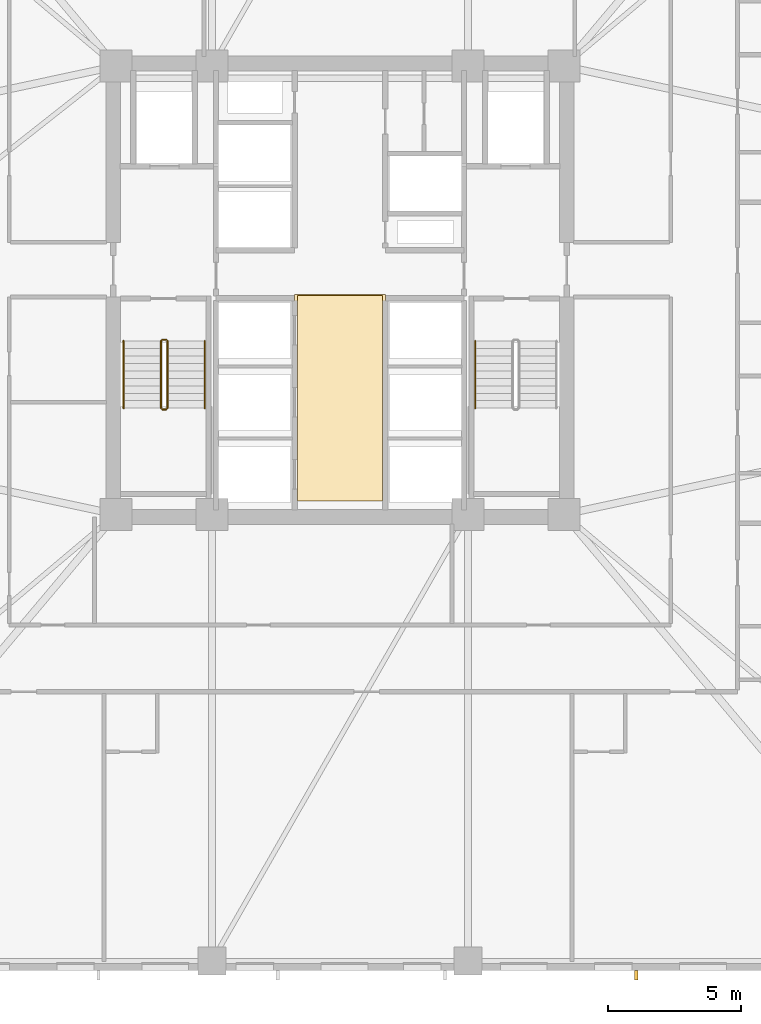
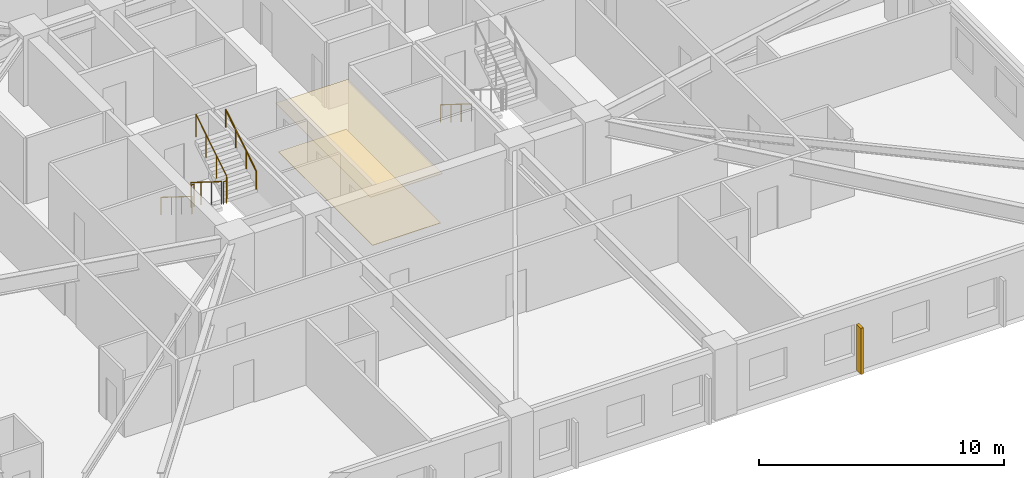
# One storey, part 9 of 12: 7 railings, 2 coverings, 1 shading device.
"""IFC4 building model written with IfcOpenShell, lengths in metres."""

from ifc_helpers import new_model, si_unit, direction, frame, origin, origin_2d, place, context, subcontext, project, spatial, polyline, rectangle, circle, outline, extrude, material, layer, layer_set, type_object, element, save


model = new_model("IFC4")

# Units and contexts
model_context = context("Model", 3, precision=1e-05, world=origin(), true_north=direction((0.0, 1.0)))
body_context = subcontext(model_context, "Body", "Model", "MODEL_VIEW")
ifc_project = project(units=[si_unit("LENGTHUNIT", "METRE"), si_unit("AREAUNIT", "SQUARE_METRE"), si_unit("VOLUMEUNIT", "CUBIC_METRE"), si_unit("PLANEANGLEUNIT", "RADIAN"), si_unit("MASSUNIT", "GRAM", prefix="KILO")], contexts=[model_context])

# Site, building, storey
site_placement = place(None, origin())
site = spatial("IfcSite", under=ifc_project, at=site_placement, CompositionType="ELEMENT")
building_placement = place(site_placement, origin())
building = spatial("IfcBuilding", under=site, at=building_placement, Name="Cairnveth Concourse Tower", CompositionType="ELEMENT")
storey_placement = place(building_placement, frame((0.0, 0.0, 90.0)))
storey = spatial("IfcBuildingStorey", under=building, at=storey_placement, Name="L24", CompositionType="ELEMENT", Elevation=90.0)

# Covering
ifc_material_1 = material(Name="Acoustic Mineral Fibre Ceiling", Category="gypsum")
ifc_layer_1 = layer(ifc_material_1, 0.02490234375)
ifc_layer_set_1 = layer_set([ifc_layer_1], Name="Acoustic Mineral Fibre Ceiling")
covering_type_1 = type_object("IfcCoveringType", Name="ACOUSTIC MINERAL FIBRE CEILING 25", PredefinedType="CEILING", material=ifc_layer_set_1)
covering_1_placement = place(storey_placement, frame((0.0, 0.0, 2.424072265625)))
element("IfcCovering", 1, at=covering_1_placement, inside=storey, type_object=covering_type_1, Name="Lift Lobby Acoustic Ceiling L24", PredefinedType="CEILING", context=body_context, shape_type="SweptSolid", body=[
    extrude(outline(polyline([(50.300048828125, 31.10009765625), (53.699951171875, 31.10009765625), (53.699951171875, 38.85009765625), (50.300048828125, 38.85009765625), (50.300048828125, 31.10009765625)])), origin(), (0.0, 0.0, 1.0), 0.02490234375),
])

# Shading device
ifc_material_2 = material(Name="Architectural Bronze Anodised Aluminium 6063-T6", Category="aluminium")
shading_device_type = type_object("IfcShadingDeviceType", Name="GOTHIC BRONZE VERTICAL LANCET FIN", PredefinedType="USERDEFINED", material=ifc_material_2)
shading_device_placement = place(storey_placement, frame((63.109619140625, 13.324951171875, 0.02978515625), z_axis=(0.0, 0.0, 1.0), x_axis=(1.0, 0.0, 0.0)))
element("IfcShadingDevice", 2, at=shading_device_placement, inside=storey, type_object=shading_device_type, Name="Gothic Bronze Vertical Fin L24-6-3", ObjectType="VERTICAL FIN", PredefinedType="USERDEFINED", context=body_context, shape_type="SweptSolid", body=[
    extrude(rectangle(XDim=0.1201171875, YDim=0.360107421875, at=origin_2d()), origin(), (0.0, 0.0, 1.0), 2.303955078125),
])

# Railings
ifc_material_3 = material(Name="Steel Grade 350", Category="steel")
railing_type_1 = type_object("IfcRailingType", Name="STAIR GUARDRAIL 1150", PredefinedType="GUARDRAIL", material=ifc_material_3)
railing_1_placement = place(storey_placement, frame((45.2900390625, 37.10009765625, 0.175048828125)))
element("IfcRailing", 3, at=railing_1_placement, inside=storey, type_object=railing_type_1, Name="L24 ST-1 stair guard 1", PredefinedType="GUARDRAIL", context=body_context, shape_type="SweptSolid", body=[
    extrude(circle(Radius=0.02392578125, at=origin_2d()), frame((0.0, 0.0, 1.1259765625), z_axis=(0.0, -0.848007534815, 0.529984170421), x_axis=(1.0, 0.0, 0.0)), (0.0, 0.0, 1.0), 2.9716796875),
    extrude(circle(Radius=0.02099609375, at=origin_2d()), origin(), (0.0, 0.0, 1.0), 1.101806640625),
    extrude(circle(Radius=0.02099609375, at=origin_2d()), frame((0.0, -0.840087890625, 0.52490234375)), (0.0, 0.0, 1.0), 1.101806640625),
    extrude(circle(Radius=0.02099609375, at=origin_2d()), frame((0.0, -1.679931640625, 1.050048828125)), (0.0, 0.0, 1.0), 1.101806640625),
    extrude(circle(Radius=0.02099609375, at=origin_2d()), frame((0.0, -2.52001953125, 1.574951171875)), (0.0, 0.0, 1.0), 1.101806640625),
])
railing_2_placement = place(storey_placement, frame((45.340087890625, 34.530029296875, 1.75)))
element("IfcRailing", 4, at=railing_2_placement, inside=storey, type_object=railing_type_1, Name="L24 ST-1 stair guard 2", PredefinedType="GUARDRAIL", context=body_context, shape_type="SweptSolid", body=[
    extrude(circle(Radius=0.02392578125, at=origin_2d()), frame((0.0, 0.0, 1.1259765625), z_axis=(1.0, 0.0, 0.0), x_axis=(0.0, 1.0, 0.0)), (0.0, 0.0, 1.0), 0.139892578125),
    extrude(circle(Radius=0.02099609375, at=origin_2d()), origin(), (0.0, 0.0, 1.0), 1.101806640625),
    extrude(circle(Radius=0.02099609375, at=origin_2d()), frame((0.139892578125, 0.0, 0.0)), (0.0, 0.0, 1.0), 1.101806640625),
])
railing_3_placement = place(storey_placement, frame((45.530029296875, 34.580078125, 1.925048828125)))
element("IfcRailing", 5, at=railing_3_placement, inside=storey, type_object=railing_type_1, Name="L24 ST-1 stair guard 3", PredefinedType="GUARDRAIL", context=body_context, shape_type="SweptSolid", body=[
    extrude(circle(Radius=0.02392578125, at=origin_2d()), frame((0.0, 0.0, 1.1259765625), z_axis=(0.0, 0.848007534815, 0.529984170421), x_axis=(-1.0, 0.0, 0.0)), (0.0, 0.0, 1.0), 2.9716796875),
    extrude(circle(Radius=0.02099609375, at=origin_2d()), origin(), (0.0, 0.0, 1.0), 1.101806640625),
    extrude(circle(Radius=0.02099609375, at=origin_2d()), frame((0.0, 0.840087890625, 0.52490234375)), (0.0, 0.0, 1.0), 1.101806640625),
    extrude(circle(Radius=0.02099609375, at=origin_2d()), frame((0.0, 1.679931640625, 1.050048828125)), (0.0, 0.0, 1.0), 1.101806640625),
    extrude(circle(Radius=0.02099609375, at=origin_2d()), frame((0.0, 2.52001953125, 1.574951171875)), (0.0, 0.0, 1.0), 1.101806640625),
])
railing_4_placement = place(storey_placement, frame((45.340087890625, 37.14990234375, 0.0)))
element("IfcRailing", 6, at=railing_4_placement, inside=storey, type_object=railing_type_1, Name="L24 ST-1 stair guard 4", PredefinedType="GUARDRAIL", context=body_context, shape_type="SweptSolid", body=[
    extrude(circle(Radius=0.02392578125, at=origin_2d()), frame((0.0, 0.0, 1.1259765625), z_axis=(1.0, 0.0, 0.0), x_axis=(0.0, 1.0, 0.0)), (0.0, 0.0, 1.0), 0.139892578125),
    extrude(circle(Radius=0.02099609375, at=origin_2d()), origin(), (0.0, 0.0, 1.0), 1.101806640625),
    extrude(circle(Radius=0.02099609375, at=origin_2d()), frame((0.139892578125, 0.0, 0.0)), (0.0, 0.0, 1.0), 1.101806640625),
])
railing_type_2 = type_object("IfcRailingType", Name="STAIR WALL HANDRAIL 900", PredefinedType="HANDRAIL", material=ifc_material_3)
railing_5_placement = place(storey_placement, frame((43.889892578125, 37.10009765625, 0.175048828125)))
element("IfcRailing", 7, at=railing_5_placement, inside=storey, type_object=railing_type_2, Name="L24 ST-1 stair handrail 1", PredefinedType="HANDRAIL", context=body_context, shape_type="SweptSolid", body=[
    extrude(circle(Radius=0.02392578125, at=origin_2d()), frame((0.0, 0.0, 0.8759765625), z_axis=(0.0, -0.848007534815, 0.529984170421), x_axis=(1.0, 0.0, 0.0)), (0.0, 0.0, 1.0), 2.9716796875),
    extrude(circle(Radius=0.02099609375, at=origin_2d()), origin(), (0.0, 0.0, 1.0), 0.851806640625),
    extrude(circle(Radius=0.02099609375, at=origin_2d()), frame((0.0, -0.840087890625, 0.52490234375)), (0.0, 0.0, 1.0), 0.851806640625),
    extrude(circle(Radius=0.02099609375, at=origin_2d()), frame((0.0, -1.679931640625, 1.050048828125)), (0.0, 0.0, 1.0), 0.851806640625),
    extrude(circle(Radius=0.02099609375, at=origin_2d()), frame((0.0, -2.52001953125, 1.574951171875)), (0.0, 0.0, 1.0), 0.851806640625),
])
railing_6_placement = place(storey_placement, frame((46.929931640625, 34.580078125, 1.925048828125)))
element("IfcRailing", 8, at=railing_6_placement, inside=storey, type_object=railing_type_2, Name="L24 ST-1 stair handrail 2", PredefinedType="HANDRAIL", context=body_context, shape_type="SweptSolid", body=[
    extrude(circle(Radius=0.02392578125, at=origin_2d()), frame((0.0, 0.0, 0.8759765625), z_axis=(0.0, 0.848007534815, 0.529984170421), x_axis=(-1.0, 0.0, 0.0)), (0.0, 0.0, 1.0), 2.9716796875),
    extrude(circle(Radius=0.02099609375, at=origin_2d()), origin(), (0.0, 0.0, 1.0), 0.851806640625),
    extrude(circle(Radius=0.02099609375, at=origin_2d()), frame((0.0, 0.840087890625, 0.52490234375)), (0.0, 0.0, 1.0), 0.851806640625),
    extrude(circle(Radius=0.02099609375, at=origin_2d()), frame((0.0, 1.679931640625, 1.050048828125)), (0.0, 0.0, 1.0), 0.851806640625),
    extrude(circle(Radius=0.02099609375, at=origin_2d()), frame((0.0, 2.52001953125, 1.574951171875)), (0.0, 0.0, 1.0), 0.851806640625),
])
railing_7_placement = place(storey_placement, frame((57.070068359375, 37.10009765625, 0.175048828125)))
element("IfcRailing", 9, at=railing_7_placement, inside=storey, type_object=railing_type_2, Name="L24 ST-2 stair handrail 1", PredefinedType="HANDRAIL", context=body_context, shape_type="SweptSolid", body=[
    extrude(circle(Radius=0.02392578125, at=origin_2d()), frame((0.0, 0.0, 0.8759765625), z_axis=(0.0, -0.848007534815, 0.529984170421), x_axis=(1.0, 0.0, 0.0)), (0.0, 0.0, 1.0), 2.9716796875),
    extrude(circle(Radius=0.02099609375, at=origin_2d()), origin(), (0.0, 0.0, 1.0), 0.851806640625),
    extrude(circle(Radius=0.02099609375, at=origin_2d()), frame((0.0, -0.840087890625, 0.52490234375)), (0.0, 0.0, 1.0), 0.851806640625),
    extrude(circle(Radius=0.02099609375, at=origin_2d()), frame((0.0, -1.679931640625, 1.050048828125)), (0.0, 0.0, 1.0), 0.851806640625),
    extrude(circle(Radius=0.02099609375, at=origin_2d()), frame((0.0, -2.52001953125, 1.574951171875)), (0.0, 0.0, 1.0), 0.851806640625),
])

# Covering
ifc_material_4 = material(Name="Vitrified Stoneware Tile Flooring", Category="masonry")
ifc_layer_2 = layer(ifc_material_4, 0.02001953125)
ifc_layer_set_2 = layer_set([ifc_layer_2], Name="Vitrified Stoneware Tile Flooring")
covering_type_2 = type_object("IfcCoveringType", Name="VITRIFIED STONEWARE LOBBY FLOORING 20", PredefinedType="FLOORING", material=ifc_layer_set_2)
covering_2_placement = place(storey_placement, origin())
element("IfcCovering", 10, at=covering_2_placement, inside=storey, type_object=covering_type_2, Name="Lift Lobby Stoneware Flooring L24", PredefinedType="FLOORING", context=body_context, shape_type="SweptSolid", body=[
    extrude(outline(polyline([(50.39990234375, 31.10009765625), (53.60009765625, 31.10009765625), (53.60009765625, 38.800048828125), (50.39990234375, 38.800048828125), (50.39990234375, 31.10009765625)])), origin(), (0.0, 0.0, 1.0), 0.02001953125),
])

save(model, "model.ifc")
